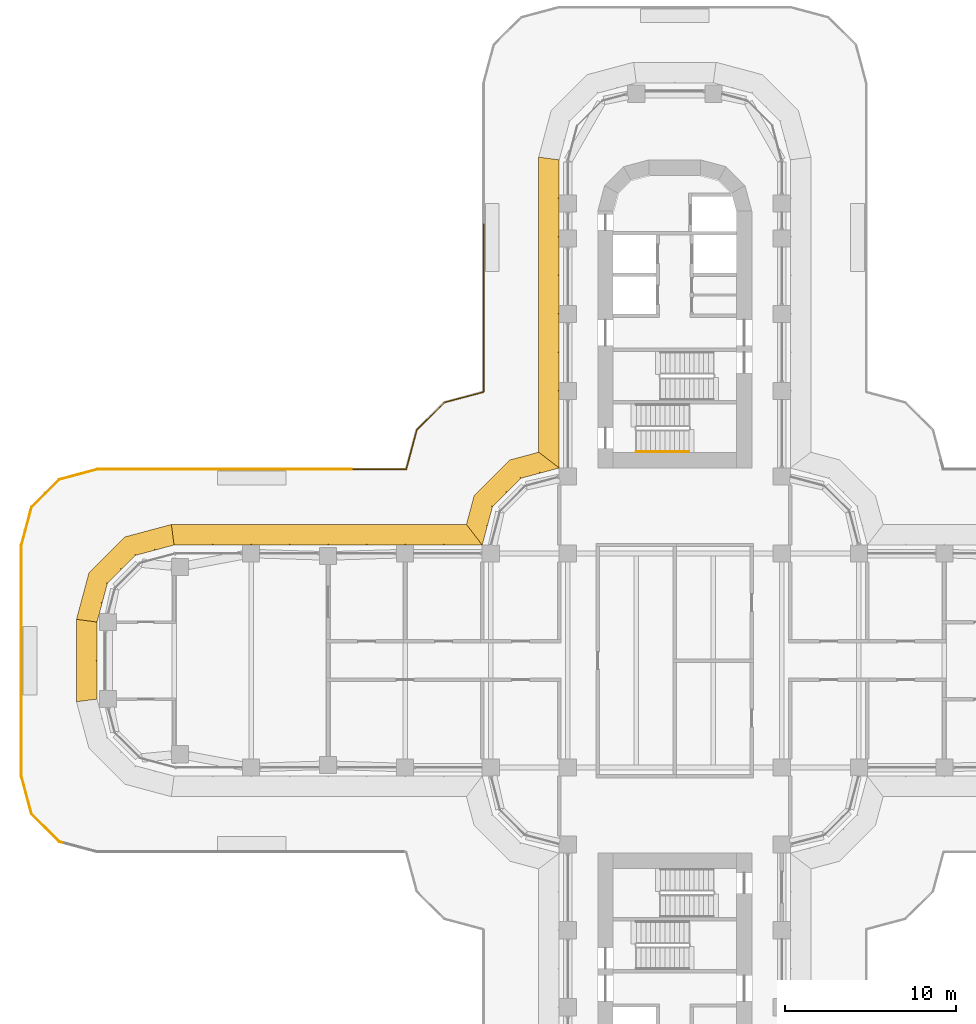
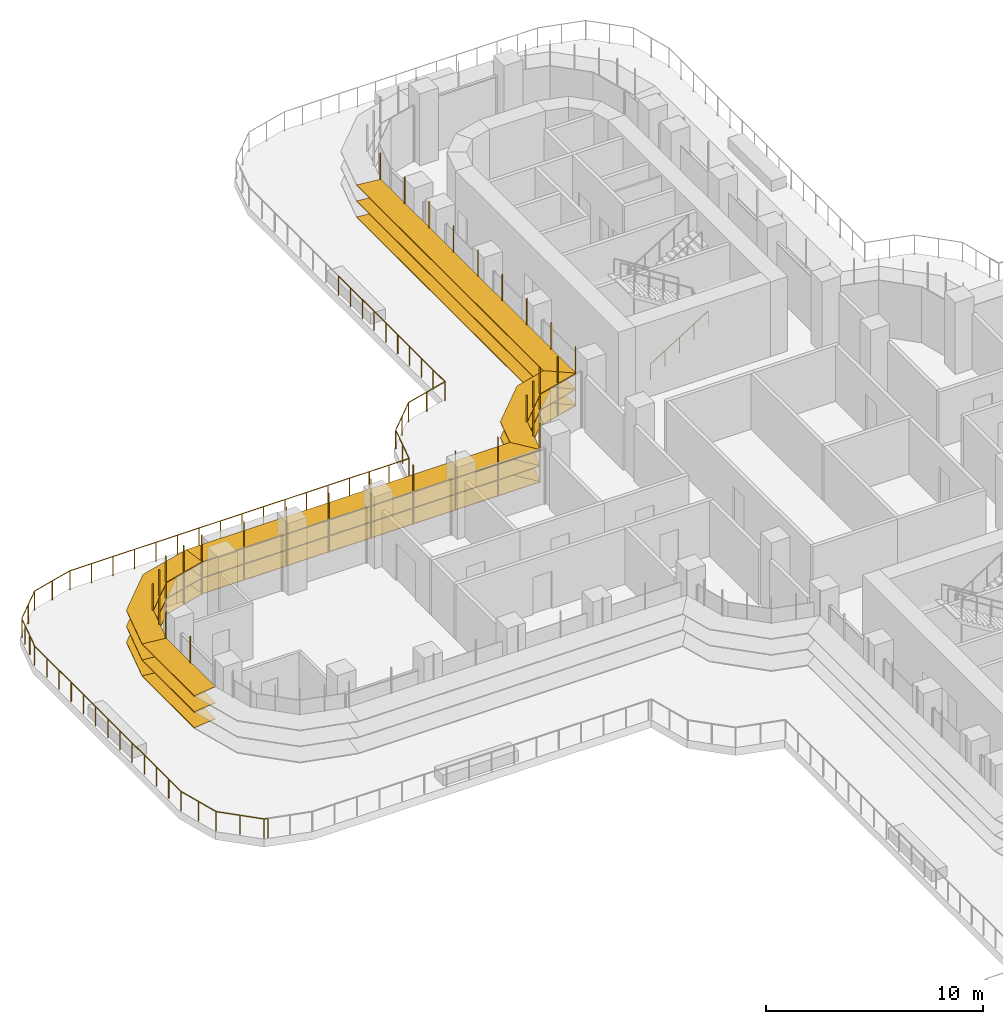
# One storey, part 23 of 26: 5 shading devices, 4 railings.
"""IFC4 building model written with IfcOpenShell, lengths in metres."""

from ifc_helpers import new_model, si_unit, direction, frame, origin, origin_2d, place, context, subcontext, project, spatial, polyline, circle, outline, extrude, faceted_brep, source, transform, mapped, material, type_object, element, save


model = new_model("IFC4")

# Units and contexts
model_context = context("Model", 3, precision=1e-05, world=origin(), true_north=direction((0.0, 1.0)))
body_context = subcontext(model_context, "Body", "Model", "MODEL_VIEW")
ifc_project = project(units=[si_unit("LENGTHUNIT", "METRE"), si_unit("AREAUNIT", "SQUARE_METRE"), si_unit("VOLUMEUNIT", "CUBIC_METRE"), si_unit("PLANEANGLEUNIT", "RADIAN"), si_unit("MASSUNIT", "GRAM", prefix="KILO")], contexts=[model_context])

# Site, building, storey
site_placement = place(None, origin())
site = spatial("IfcSite", under=ifc_project, at=site_placement, CompositionType="ELEMENT")
building_placement = place(site_placement, origin())
building = spatial("IfcBuilding", under=site, at=building_placement, Name="Zarbagh Exchange Tower", CompositionType="ELEMENT")
storey_placement = place(building_placement, frame((0.0, 0.0, 27.0)))
storey = spatial("IfcBuildingStorey", under=building, at=storey_placement, Name="L05", CompositionType="ELEMENT", Elevation=27.0)

# Railings
ifc_material_1 = material(Name="Stainless steel", Category="steel")
railing_type_1 = type_object("IfcRailingType", Name="Stair handrail 900 mm", PredefinedType="HANDRAIL", material=ifc_material_1)
railing_1_placement = place(storey_placement, frame((-2.25, 12.199951171875, 0.175048828125)))
element("IfcRailing", 1, at=railing_1_placement, inside=storey, type_object=railing_type_1, Name="ST2 stair handrail 1", PredefinedType="HANDRAIL", context=body_context, shape_type="SweptSolid", body=[
    extrude(circle(Radius=0.02392578125, at=origin_2d()), frame((0.0, 0.0, 0.8759765625), z_axis=(0.847998304005, 0.0, 0.529998940003), x_axis=(0.0, 1.0, 0.0)), (0.0, 0.0, 1.0), 3.632080078125),
    extrude(circle(Radius=0.02099609375, at=origin_2d()), origin(), (0.0, 0.0, 1.0), 0.851806640625),
    extrude(circle(Radius=0.02099609375, at=origin_2d()), frame((0.77001953125, 0.0, 0.481201171875)), (0.0, 0.0, 1.0), 0.851806640625),
    extrude(circle(Radius=0.02099609375, at=origin_2d()), frame((1.5400390625, 0.0, 0.96240234375)), (0.0, 0.0, 1.0), 0.851806640625),
    extrude(circle(Radius=0.02099609375, at=origin_2d()), frame((2.31005859375, 0.0, 1.44384765625)), (0.0, 0.0, 1.0), 0.851806640625),
    extrude(circle(Radius=0.02099609375, at=origin_2d()), frame((3.080078125, 0.0, 1.925048828125)), (0.0, 0.0, 1.0), 0.851806640625),
])
ifc_material_2 = material(Name="Stainless steel and laminated glass", Category="steel")
railing_type_2 = type_object("IfcRailingType", Name="Terrace guard, glass balustrade 1.1 m", PredefinedType="GUARDRAIL", material=ifc_material_2)
railing_2_placement = place(storey_placement, frame((-35.77880859375, -10.62353515625, 0.0)))
element("IfcRailing", 2, at=railing_2_placement, inside=storey, type_object=railing_type_2, Name="TG01 terrace guard", PredefinedType="GUARDRAIL", context=body_context, shape_type="SweptSolid", body=[
    extrude(circle(Radius=0.02490234375, at=origin_2d()), frame((0.0, 0.0, 1.0751953125), z_axis=(-0.965994896466, 0.258561133973, 0.0), x_axis=(-0.258561133973, -0.965994896466, 0.0)), (0.0, 0.0, 1.0), 0.18603515625),
    extrude(circle(Radius=0.02490234375, at=origin_2d()), frame((-0.1796875, 0.048095703125, 1.0751953125), z_axis=(-0.707106781187, 0.707106781187, 0.0), x_axis=(-0.707106781187, -0.707106781187, 0.0)), (0.0, 0.0, 1.0), 2.28662109375),
    extrude(circle(Radius=0.02490234375, at=origin_2d()), frame((-1.796630859375, 1.6650390625, 1.0751953125), z_axis=(-0.258780353152, 0.965936192935, 0.0), x_axis=(-0.965936192935, -0.258780353152, 0.0)), (0.0, 0.0, 1.0), 2.29736328125),
    extrude(circle(Radius=0.02490234375, at=origin_2d()), frame((-2.39111328125, 3.884033203125, 1.0751953125), z_axis=(0.0, 1.0, 0.0), x_axis=(-1.0, 0.0, 0.0)), (0.0, 0.0, 1.0), 13.47900390625),
    extrude(circle(Radius=0.02490234375, at=origin_2d()), frame((-2.39111328125, 17.363037109375, 1.0751953125), z_axis=(0.258773254036, 0.965938094805, 0.0), x_axis=(-0.965938094805, 0.258773254036, 0.0)), (0.0, 0.0, 1.0), 1.7509765625),
    extrude(circle(Radius=0.02490234375, at=origin_2d()), origin(), (0.0, 0.0, 1.0), 1.050048828125),
    extrude(circle(Radius=0.02490234375, at=origin_2d()), frame((-0.1796875, 0.048095703125, 0.0)), (0.0, 0.0, 1.0), 1.050048828125),
    extrude(circle(Radius=0.02490234375, at=origin_2d()), frame((-0.98828125, 0.8564453125, 0.0)), (0.0, 0.0, 1.0), 1.050048828125),
    extrude(circle(Radius=0.02490234375, at=origin_2d()), frame((-1.796630859375, 1.6650390625, 0.0)), (0.0, 0.0, 1.0), 1.050048828125),
    extrude(circle(Radius=0.02490234375, at=origin_2d()), frame((-2.09375, 2.7744140625, 0.0)), (0.0, 0.0, 1.0), 1.050048828125),
    extrude(circle(Radius=0.02490234375, at=origin_2d()), frame((-2.39111328125, 3.884033203125, 0.0)), (0.0, 0.0, 1.0), 1.050048828125),
    extrude(circle(Radius=0.02490234375, at=origin_2d()), frame((-2.39111328125, 5.00732421875, 0.0)), (0.0, 0.0, 1.0), 1.050048828125),
    extrude(circle(Radius=0.02490234375, at=origin_2d()), frame((-2.39111328125, 6.130615234375, 0.0)), (0.0, 0.0, 1.0), 1.050048828125),
    extrude(circle(Radius=0.02490234375, at=origin_2d()), frame((-2.39111328125, 7.25390625, 0.0)), (0.0, 0.0, 1.0), 1.050048828125),
    extrude(circle(Radius=0.02490234375, at=origin_2d()), frame((-2.39111328125, 8.376953125, 0.0)), (0.0, 0.0, 1.0), 1.050048828125),
    extrude(circle(Radius=0.02490234375, at=origin_2d()), frame((-2.39111328125, 9.500244140625, 0.0)), (0.0, 0.0, 1.0), 1.050048828125),
    extrude(circle(Radius=0.02490234375, at=origin_2d()), frame((-2.39111328125, 10.62353515625, 0.0)), (0.0, 0.0, 1.0), 1.050048828125),
    extrude(circle(Radius=0.02490234375, at=origin_2d()), frame((-2.39111328125, 11.746826171875, 0.0)), (0.0, 0.0, 1.0), 1.050048828125),
    extrude(circle(Radius=0.02490234375, at=origin_2d()), frame((-2.39111328125, 12.8701171875, 0.0)), (0.0, 0.0, 1.0), 1.050048828125),
    extrude(circle(Radius=0.02490234375, at=origin_2d()), frame((-2.39111328125, 13.9931640625, 0.0)), (0.0, 0.0, 1.0), 1.050048828125),
    extrude(circle(Radius=0.02490234375, at=origin_2d()), frame((-2.39111328125, 15.116455078125, 0.0)), (0.0, 0.0, 1.0), 1.050048828125),
    extrude(circle(Radius=0.02490234375, at=origin_2d()), frame((-2.39111328125, 16.23974609375, 0.0)), (0.0, 0.0, 1.0), 1.050048828125),
    extrude(circle(Radius=0.02490234375, at=origin_2d()), frame((-2.39111328125, 17.363037109375, 0.0)), (0.0, 0.0, 1.0), 1.050048828125),
    extrude(circle(Radius=0.02490234375, at=origin_2d()), frame((-2.16455078125, 18.208740234375, 0.0)), (0.0, 0.0, 1.0), 1.050048828125),
    extrude(circle(Radius=0.02490234375, at=origin_2d()), frame((-1.93798828125, 19.054443359375, 0.0)), (0.0, 0.0, 1.0), 1.050048828125),
])
railing_3_placement = place(storey_placement, frame((-37.716796875, 8.430908203125, 0.0)))
element("IfcRailing", 3, at=railing_3_placement, inside=storey, type_object=railing_type_2, Name="TG01 terrace guard", PredefinedType="GUARDRAIL", context=body_context, shape_type="SweptSolid", body=[
    extrude(circle(Radius=0.02490234375, at=origin_2d()), frame((0.0, 0.0, 1.0751953125), z_axis=(0.258803112091, 0.965930095386, 0.0), x_axis=(-0.965930095386, 0.258803112091, 0.0)), (0.0, 0.0, 1.0), 0.546142578125),
    extrude(circle(Radius=0.02490234375, at=origin_2d()), frame((0.141357421875, 0.527587890625, 1.0751953125), z_axis=(0.707106781187, 0.707106781187, 0.0), x_axis=(-0.707106781187, 0.707106781187, 0.0)), (0.0, 0.0, 1.0), 2.28662109375),
    extrude(circle(Radius=0.02490234375, at=origin_2d()), frame((1.75830078125, 2.14453125, 1.0751953125), z_axis=(0.965936192935, 0.258780353152, 0.0), x_axis=(-0.258780353152, 0.965936192935, 0.0)), (0.0, 0.0, 1.0), 2.29736328125),
    extrude(circle(Radius=0.02490234375, at=origin_2d()), frame((3.977294921875, 2.739013671875, 1.0751953125), z_axis=(1.0, 0.0, 0.0), x_axis=(0.0, 1.0, 0.0)), (0.0, 0.0, 1.0), 14.869873046875),
    extrude(circle(Radius=0.02490234375, at=origin_2d()), origin(), (0.0, 0.0, 1.0), 1.050048828125),
    extrude(circle(Radius=0.02490234375, at=origin_2d()), frame((0.141357421875, 0.527587890625, 0.0)), (0.0, 0.0, 1.0), 1.050048828125),
    extrude(circle(Radius=0.02490234375, at=origin_2d()), frame((0.94970703125, 1.3359375, 0.0)), (0.0, 0.0, 1.0), 1.050048828125),
    extrude(circle(Radius=0.02490234375, at=origin_2d()), frame((1.75830078125, 2.14453125, 0.0)), (0.0, 0.0, 1.0), 1.050048828125),
    extrude(circle(Radius=0.02490234375, at=origin_2d()), frame((2.86767578125, 2.44189453125, 0.0)), (0.0, 0.0, 1.0), 1.050048828125),
    extrude(circle(Radius=0.02490234375, at=origin_2d()), frame((3.977294921875, 2.739013671875, 0.0)), (0.0, 0.0, 1.0), 1.050048828125),
    extrude(circle(Radius=0.02490234375, at=origin_2d()), frame((5.12109375, 2.739013671875, 0.0)), (0.0, 0.0, 1.0), 1.050048828125),
    extrude(circle(Radius=0.02490234375, at=origin_2d()), frame((6.264892578125, 2.739013671875, 0.0)), (0.0, 0.0, 1.0), 1.050048828125),
    extrude(circle(Radius=0.02490234375, at=origin_2d()), frame((7.40869140625, 2.739013671875, 0.0)), (0.0, 0.0, 1.0), 1.050048828125),
    extrude(circle(Radius=0.02490234375, at=origin_2d()), frame((8.552734375, 2.739013671875, 0.0)), (0.0, 0.0, 1.0), 1.050048828125),
    extrude(circle(Radius=0.02490234375, at=origin_2d()), frame((9.696533203125, 2.739013671875, 0.0)), (0.0, 0.0, 1.0), 1.050048828125),
    extrude(circle(Radius=0.02490234375, at=origin_2d()), frame((10.84033203125, 2.739013671875, 0.0)), (0.0, 0.0, 1.0), 1.050048828125),
    extrude(circle(Radius=0.02490234375, at=origin_2d()), frame((11.984130859375, 2.739013671875, 0.0)), (0.0, 0.0, 1.0), 1.050048828125),
    extrude(circle(Radius=0.02490234375, at=origin_2d()), frame((13.1279296875, 2.739013671875, 0.0)), (0.0, 0.0, 1.0), 1.050048828125),
    extrude(circle(Radius=0.02490234375, at=origin_2d()), frame((14.271728515625, 2.739013671875, 0.0)), (0.0, 0.0, 1.0), 1.050048828125),
    extrude(circle(Radius=0.02490234375, at=origin_2d()), frame((15.415771484375, 2.739013671875, 0.0)), (0.0, 0.0, 1.0), 1.050048828125),
    extrude(circle(Radius=0.02490234375, at=origin_2d()), frame((16.5595703125, 2.739013671875, 0.0)), (0.0, 0.0, 1.0), 1.050048828125),
    extrude(circle(Radius=0.02490234375, at=origin_2d()), frame((17.703369140625, 2.739013671875, 0.0)), (0.0, 0.0, 1.0), 1.050048828125),
    extrude(circle(Radius=0.02490234375, at=origin_2d()), frame((18.84716796875, 2.739013671875, 0.0)), (0.0, 0.0, 1.0), 1.050048828125),
])
railing_4_placement = place(storey_placement, frame((-18.86962890625, 11.169921875, 0.0)))
element("IfcRailing", 4, at=railing_4_placement, inside=storey, type_object=railing_type_2, Name="TG01 terrace guard", PredefinedType="GUARDRAIL", context=body_context, shape_type="SweptSolid", body=[
    extrude(circle(Radius=0.02490234375, at=origin_2d()), frame((0.0, 0.0, 1.0751953125), z_axis=(1.0, 0.0, 0.0), x_axis=(0.0, 1.0, 0.0)), (0.0, 0.0, 1.0), 3.180908203125),
    extrude(circle(Radius=0.02490234375, at=origin_2d()), frame((3.180908203125, 0.0, 1.0751953125), z_axis=(0.258842529128, 0.965919533457, 0.0), x_axis=(-0.965919533457, 0.258842529128, 0.0)), (0.0, 0.0, 1.0), 2.369384765625),
    extrude(circle(Radius=0.02490234375, at=origin_2d()), frame((3.794189453125, 2.28857421875, 1.0751953125), z_axis=(0.707106781187, 0.707106781187, 0.0), x_axis=(-0.707106781187, 0.707106781187, 0.0)), (0.0, 0.0, 1.0), 2.28662109375),
    extrude(circle(Radius=0.02490234375, at=origin_2d()), frame((5.4111328125, 3.905517578125, 1.0751953125), z_axis=(0.965919533457, 0.258842529128, 0.0), x_axis=(-0.258842529128, 0.965919533457, 0.0)), (0.0, 0.0, 1.0), 2.369384765625),
    extrude(circle(Radius=0.02490234375, at=origin_2d()), frame((7.69970703125, 4.518798828125, 1.0751953125), z_axis=(0.0, 1.0, 0.0), x_axis=(-1.0, 0.0, 0.0)), (0.0, 0.0, 1.0), 9.793701171875),
    extrude(circle(Radius=0.02490234375, at=origin_2d()), origin(), (0.0, 0.0, 1.0), 1.050048828125),
    extrude(circle(Radius=0.02490234375, at=origin_2d()), frame((1.060302734375, 0.0, 0.0)), (0.0, 0.0, 1.0), 1.050048828125),
    extrude(circle(Radius=0.02490234375, at=origin_2d()), frame((2.12060546875, 0.0, 0.0)), (0.0, 0.0, 1.0), 1.050048828125),
    extrude(circle(Radius=0.02490234375, at=origin_2d()), frame((3.180908203125, 0.0, 0.0)), (0.0, 0.0, 1.0), 1.050048828125),
    extrude(circle(Radius=0.02490234375, at=origin_2d()), frame((3.487548828125, 1.144287109375, 0.0)), (0.0, 0.0, 1.0), 1.050048828125),
    extrude(circle(Radius=0.02490234375, at=origin_2d()), frame((3.794189453125, 2.28857421875, 0.0)), (0.0, 0.0, 1.0), 1.050048828125),
    extrude(circle(Radius=0.02490234375, at=origin_2d()), frame((4.6025390625, 3.09716796875, 0.0)), (0.0, 0.0, 1.0), 1.050048828125),
    extrude(circle(Radius=0.02490234375, at=origin_2d()), frame((5.4111328125, 3.905517578125, 0.0)), (0.0, 0.0, 1.0), 1.050048828125),
    extrude(circle(Radius=0.02490234375, at=origin_2d()), frame((6.555419921875, 4.212158203125, 0.0)), (0.0, 0.0, 1.0), 1.050048828125),
    extrude(circle(Radius=0.02490234375, at=origin_2d()), frame((7.69970703125, 4.518798828125, 0.0)), (0.0, 0.0, 1.0), 1.050048828125),
    extrude(circle(Radius=0.02490234375, at=origin_2d()), frame((7.69970703125, 5.60693359375, 0.0)), (0.0, 0.0, 1.0), 1.050048828125),
    extrude(circle(Radius=0.02490234375, at=origin_2d()), frame((7.69970703125, 6.695068359375, 0.0)), (0.0, 0.0, 1.0), 1.050048828125),
    extrude(circle(Radius=0.02490234375, at=origin_2d()), frame((7.69970703125, 7.783447265625, 0.0)), (0.0, 0.0, 1.0), 1.050048828125),
    extrude(circle(Radius=0.02490234375, at=origin_2d()), frame((7.69970703125, 8.87158203125, 0.0)), (0.0, 0.0, 1.0), 1.050048828125),
    extrude(circle(Radius=0.02490234375, at=origin_2d()), frame((7.69970703125, 9.959716796875, 0.0)), (0.0, 0.0, 1.0), 1.050048828125),
    extrude(circle(Radius=0.02490234375, at=origin_2d()), frame((7.69970703125, 11.0478515625, 0.0)), (0.0, 0.0, 1.0), 1.050048828125),
    extrude(circle(Radius=0.02490234375, at=origin_2d()), frame((7.69970703125, 12.13623046875, 0.0)), (0.0, 0.0, 1.0), 1.050048828125),
    extrude(circle(Radius=0.02490234375, at=origin_2d()), frame((7.69970703125, 13.224365234375, 0.0)), (0.0, 0.0, 1.0), 1.050048828125),
    extrude(circle(Radius=0.02490234375, at=origin_2d()), frame((7.69970703125, 14.3125, 0.0)), (0.0, 0.0, 1.0), 1.050048828125),
])

# Shading devices
ifc_material_3 = material(Name="Anodised aluminium blades and brackets", Category="aluminium")
shading_device_type = type_object("IfcShadingDeviceType", Name="SUNSHADE louvre band, 0 degree blades", PredefinedType="JALOUSIE", material=ifc_material_3)
shared_shape_1 = source(origin(), body_context, "Body", "Brep", [
    faceted_brep([(0.0, 0.0, 0.0), (0.0, 0.0, -0.0400390625), (-0.157958984375, -1.199951171875, -0.0400390625), (-0.157958984375, -1.199951171875, 0.0), (2.65087890625, -1.199951171875, 0.0), (2.65087890625, -1.199951171875, -0.0400390625), (2.329345703125, 0.0, -0.0400390625), (2.329345703125, 0.0, 0.0)], [[[0, 1, 2, 3]], [[4, 5, 6, 7]], [[0, 7, 6, 1]], [[1, 6, 5, 2]], [[2, 5, 4, 3]], [[3, 4, 7, 0]]]),
])
shared_shape_2 = source(origin(), body_context, "Body", "Brep", [
    faceted_brep([(0.0, 0.0, 0.0), (0.0, 0.0, -0.0400390625), (-0.321533203125, -1.199951171875, -0.0400390625), (-0.321533203125, -1.199951171875, 0.0), (2.65087890625, -1.199951171875, 0.0), (2.65087890625, -1.199951171875, -0.0400390625), (2.329345703125, 0.0, -0.0400390625), (2.329345703125, 0.0, 0.0)], [[[0, 1, 2, 3]], [[4, 5, 6, 7]], [[0, 7, 6, 1]], [[1, 6, 5, 2]], [[2, 5, 4, 3]], [[3, 4, 7, 0]]]),
])
shared_shape_3 = source(origin(), body_context, "Body", "Brep", [
    faceted_brep([(0.0, 0.0, 0.0), (0.0, 0.0, -0.0400390625), (-0.321533203125, -1.199951171875, -0.0400390625), (-0.321533203125, -1.199951171875, 0.0), (2.4873046875, -1.199951171875, 0.0), (2.4873046875, -1.199951171875, -0.0400390625), (2.329345703125, 0.0, -0.0400390625), (2.329345703125, 0.0, 0.0)], [[[0, 1, 2, 3]], [[4, 5, 6, 7]], [[0, 7, 6, 1]], [[1, 6, 5, 2]], [[2, 5, 4, 3]], [[3, 4, 7, 0]]]),
])
shared_shape_4 = source(origin(), body_context, "Body", "SweptSolid", [
    extrude(outline(polyline([(0.0, -0.012451171875), (0.06005859375, -0.012451171875), (0.06005859375, 0.012451171875), (0.0, 0.012451171875), (0.0, -0.012451171875)])), origin(), (0.0, 0.0, 1.0), 3.35009765625),
])
placement = place(storey_placement, origin())
element("IfcShadingDevice", 5, at=placement, inside=storey, type_object=shading_device_type, Name="SS17 sunshade band", PredefinedType="JALOUSIE", context=body_context, shape_type="MappedRepresentation", body=[
    mapped(shared_shape_1, transform((-29.25, 6.75, 2.699951171875), x_axis=(-0.965924289636, -0.258824779902, 0.0), y_axis=(0.258824779902, -0.965924289636, 0.0), z_axis=(0.0, 0.0, 1.0))),
    mapped(shared_shape_1, transform((-29.25, 6.75, 1.800048828125), x_axis=(-0.965924289636, -0.258824779902, 0.0), y_axis=(0.258824779902, -0.965924289636, 0.0), z_axis=(0.0, 0.0, 1.0))),
    mapped(shared_shape_1, transform((-29.25, 6.75, 0.89990234375), x_axis=(-0.965924289636, -0.258824779902, 0.0), y_axis=(0.258824779902, -0.965924289636, 0.0), z_axis=(0.0, 0.0, 1.0))),
    mapped(shared_shape_2, transform((-31.5, 6.147216796875, 2.699951171875), x_axis=(-0.707106781187, -0.707106781187, 0.0), y_axis=(0.707106781187, -0.707106781187, 0.0), z_axis=(0.0, 0.0, 1.0))),
    mapped(shared_shape_2, transform((-31.5, 6.147216796875, 1.800048828125), x_axis=(-0.707106781187, -0.707106781187, 0.0), y_axis=(0.707106781187, -0.707106781187, 0.0), z_axis=(0.0, 0.0, 1.0))),
    mapped(shared_shape_2, transform((-31.5, 6.147216796875, 0.89990234375), x_axis=(-0.707106781187, -0.707106781187, 0.0), y_axis=(0.707106781187, -0.707106781187, 0.0), z_axis=(0.0, 0.0, 1.0))),
    mapped(shared_shape_3, transform((-33.147216796875, 4.5, 2.699951171875), x_axis=(-0.258824779902, -0.965924289636, 0.0), y_axis=(0.965924289636, -0.258824779902, 0.0), z_axis=(0.0, 0.0, 1.0))),
    mapped(shared_shape_3, transform((-33.147216796875, 4.5, 1.800048828125), x_axis=(-0.258824779902, -0.965924289636, 0.0), y_axis=(0.965924289636, -0.258824779902, 0.0), z_axis=(0.0, 0.0, 1.0))),
    mapped(shared_shape_3, transform((-33.147216796875, 4.5, 0.89990234375), x_axis=(-0.258824779902, -0.965924289636, 0.0), y_axis=(0.965924289636, -0.258824779902, 0.0), z_axis=(0.0, 0.0, 1.0))),
    mapped(shared_shape_4, transform((-29.25, 6.75, 0.830078125), x_axis=(-0.130529263012, 0.991444457092, 0.0), y_axis=(-0.991444457092, -0.130529263012, 0.0), z_axis=(0.0, 0.0, 1.0))),
    mapped(shared_shape_4, transform((-30.375, 6.448486328125, 0.830078125), x_axis=(-0.258825058029, 0.96592421511, 0.0), y_axis=(-0.96592421511, -0.258825058029, 0.0), z_axis=(0.0, 0.0, 1.0))),
    mapped(shared_shape_4, transform((-31.5, 6.147216796875, 0.830078125), x_axis=(-0.50000275701, 0.866023812018, 0.0), y_axis=(-0.866023812018, -0.50000275701, 0.0), z_axis=(0.0, 0.0, 1.0))),
    mapped(shared_shape_4, transform((-32.323486328125, 5.323486328125, 0.830078125), x_axis=(-0.707106781187, 0.707106781187, 0.0), y_axis=(-0.707106781187, -0.707106781187, 0.0), z_axis=(0.0, 0.0, 1.0))),
    mapped(shared_shape_4, transform((-33.147216796875, 4.5, 0.830078125), x_axis=(-0.866023812018, 0.50000275701, 0.0), y_axis=(-0.50000275701, -0.866023812018, 0.0), z_axis=(0.0, 0.0, 1.0))),
    mapped(shared_shape_4, transform((-33.448486328125, 3.375, 0.830078125), x_axis=(-0.96592421511, 0.258825058029, 0.0), y_axis=(-0.258825058029, -0.96592421511, 0.0), z_axis=(0.0, 0.0, 1.0))),
])
shared_shape_5 = source(origin(), body_context, "Body", "Brep", [
    faceted_brep([(0.0, 0.0, 0.0), (0.0, 0.0, -0.0400390625), (0.9208984375, -1.199951171875, -0.0400390625), (0.9208984375, -1.199951171875, 0.0), (2.65087890625, -1.199951171875, 0.0), (2.65087890625, -1.199951171875, -0.0400390625), (2.329345703125, 0.0, -0.0400390625), (2.329345703125, 0.0, 0.0)], [[[0, 1, 2, 3]], [[4, 5, 6, 7]], [[0, 7, 6, 1]], [[1, 6, 5, 2]], [[2, 5, 4, 3]], [[3, 4, 7, 0]]]),
])
shared_shape_6 = source(origin(), body_context, "Body", "Brep", [
    faceted_brep([(0.0, 0.0, 0.0), (0.0, 0.0, -0.0400390625), (-0.321533203125, -1.199951171875, -0.0400390625), (-0.321533203125, -1.199951171875, 0.0), (1.40869140625, -1.199951171875, 0.0), (1.40869140625, -1.199951171875, -0.0400390625), (2.329345703125, 0.0, -0.0400390625), (2.329345703125, 0.0, 0.0)], [[[0, 1, 2, 3]], [[4, 5, 6, 7]], [[0, 7, 6, 1]], [[1, 6, 5, 2]], [[2, 5, 4, 3]], [[3, 4, 7, 0]]]),
])
element("IfcShadingDevice", 6, at=placement, inside=storey, type_object=shading_device_type, Name="SS15 sunshade band", PredefinedType="JALOUSIE", context=body_context, shape_type="MappedRepresentation", body=[
    mapped(shared_shape_5, transform((-6.75, 11.25, 2.699951171875), x_axis=(-0.965924289636, -0.258824779902, 0.0), y_axis=(0.258824779902, -0.965924289636, 0.0), z_axis=(0.0, 0.0, 1.0))),
    mapped(shared_shape_5, transform((-6.75, 11.25, 1.800048828125), x_axis=(-0.965924289636, -0.258824779902, 0.0), y_axis=(0.258824779902, -0.965924289636, 0.0), z_axis=(0.0, 0.0, 1.0))),
    mapped(shared_shape_5, transform((-6.75, 11.25, 0.89990234375), x_axis=(-0.965924289636, -0.258824779902, 0.0), y_axis=(0.258824779902, -0.965924289636, 0.0), z_axis=(0.0, 0.0, 1.0))),
    mapped(shared_shape_2, transform((-9.0, 10.647216796875, 2.699951171875), x_axis=(-0.707106781187, -0.707106781187, 0.0), y_axis=(0.707106781187, -0.707106781187, 0.0), z_axis=(0.0, 0.0, 1.0))),
    mapped(shared_shape_2, transform((-9.0, 10.647216796875, 1.800048828125), x_axis=(-0.707106781187, -0.707106781187, 0.0), y_axis=(0.707106781187, -0.707106781187, 0.0), z_axis=(0.0, 0.0, 1.0))),
    mapped(shared_shape_2, transform((-9.0, 10.647216796875, 0.89990234375), x_axis=(-0.707106781187, -0.707106781187, 0.0), y_axis=(0.707106781187, -0.707106781187, 0.0), z_axis=(0.0, 0.0, 1.0))),
    mapped(shared_shape_6, transform((-10.647216796875, 9.0, 2.699951171875), x_axis=(-0.258824779902, -0.965924289636, 0.0), y_axis=(0.965924289636, -0.258824779902, 0.0), z_axis=(0.0, 0.0, 1.0))),
    mapped(shared_shape_6, transform((-10.647216796875, 9.0, 1.800048828125), x_axis=(-0.258824779902, -0.965924289636, 0.0), y_axis=(0.965924289636, -0.258824779902, 0.0), z_axis=(0.0, 0.0, 1.0))),
    mapped(shared_shape_6, transform((-10.647216796875, 9.0, 0.89990234375), x_axis=(-0.258824779902, -0.965924289636, 0.0), y_axis=(0.965924289636, -0.258824779902, 0.0), z_axis=(0.0, 0.0, 1.0))),
    mapped(shared_shape_4, transform((-6.75, 11.25, 0.830078125), x_axis=(-0.793355287, 0.608758892, 0.0), y_axis=(-0.608758892, -0.793355287, 0.0), z_axis=(0.0, 0.0, 1.0))),
    mapped(shared_shape_4, transform((-7.875, 10.948486328125, 0.830078125), x_axis=(-0.258825058029, 0.96592421511, 0.0), y_axis=(-0.96592421511, -0.258825058029, 0.0), z_axis=(0.0, 0.0, 1.0))),
    mapped(shared_shape_4, transform((-9.0, 10.647216796875, 0.830078125), x_axis=(-0.50000275701, 0.866023812018, 0.0), y_axis=(-0.866023812018, -0.50000275701, 0.0), z_axis=(0.0, 0.0, 1.0))),
    mapped(shared_shape_4, transform((-9.823486328125, 9.823486328125, 0.830078125), x_axis=(-0.707106781187, 0.707106781187, 0.0), y_axis=(-0.707106781187, -0.707106781187, 0.0), z_axis=(0.0, 0.0, 1.0))),
    mapped(shared_shape_4, transform((-10.647216796875, 9.0, 0.830078125), x_axis=(-0.866023812018, 0.50000275701, 0.0), y_axis=(-0.50000275701, -0.866023812018, 0.0), z_axis=(0.0, 0.0, 1.0))),
    mapped(shared_shape_4, transform((-10.948486328125, 7.875, 0.830078125), x_axis=(-0.96592421511, 0.258825058029, 0.0), y_axis=(-0.258825058029, -0.96592421511, 0.0), z_axis=(0.0, 0.0, 1.0))),
])
shared_shape_7 = source(origin(), body_context, "Body", "Brep", [
    faceted_brep([(0.0, 0.0, 0.0), (0.0, 0.0, -0.0400390625), (-0.157958984375, -1.199951171875, -0.0400390625), (-0.157958984375, -1.199951171875, 0.0), (17.0791015625, -1.199951171875, 0.0), (17.0791015625, -1.199951171875, -0.0400390625), (18.0, 0.0, -0.0400390625), (18.0, 0.0, 0.0)], [[[0, 1, 2, 3]], [[4, 5, 6, 7]], [[0, 7, 6, 1]], [[1, 6, 5, 2]], [[2, 5, 4, 3]], [[3, 4, 7, 0]]]),
])
element("IfcShadingDevice", 7, at=placement, inside=storey, type_object=shading_device_type, Name="SS14 sunshade band", PredefinedType="JALOUSIE", context=body_context, shape_type="MappedRepresentation", body=[
    mapped(shared_shape_7, transform((-6.75, 29.25, 2.699951171875), x_axis=(0.0, -1.0, 0.0), y_axis=(1.0, 0.0, 0.0), z_axis=(0.0, 0.0, 1.0))),
    mapped(shared_shape_7, transform((-6.75, 29.25, 1.800048828125), x_axis=(0.0, -1.0, 0.0), y_axis=(1.0, 0.0, 0.0), z_axis=(0.0, 0.0, 1.0))),
    mapped(shared_shape_7, transform((-6.75, 29.25, 0.89990234375), x_axis=(0.0, -1.0, 0.0), y_axis=(1.0, 0.0, 0.0), z_axis=(0.0, 0.0, 1.0))),
    mapped(shared_shape_4, transform((-6.75, 29.25, 0.830078125), x_axis=(-0.991444457092, 0.130529263012, 0.0), y_axis=(-0.130529263012, -0.991444457092, 0.0), z_axis=(0.0, 0.0, 1.0))),
    mapped(shared_shape_4, transform((-6.75, 27.0, 0.830078125), x_axis=(-1.0, 0.0, 0.0), y_axis=(0.0, -1.0, 0.0), z_axis=(0.0, 0.0, 1.0))),
    mapped(shared_shape_4, transform((-6.75, 24.75, 0.830078125), x_axis=(-1.0, 0.0, 0.0), y_axis=(0.0, -1.0, 0.0), z_axis=(0.0, 0.0, 1.0))),
    mapped(shared_shape_4, transform((-6.75, 22.5, 0.830078125), x_axis=(-1.0, 0.0, 0.0), y_axis=(0.0, -1.0, 0.0), z_axis=(0.0, 0.0, 1.0))),
    mapped(shared_shape_4, transform((-6.75, 20.25, 0.830078125), x_axis=(-1.0, 0.0, 0.0), y_axis=(0.0, -1.0, 0.0), z_axis=(0.0, 0.0, 1.0))),
    mapped(shared_shape_4, transform((-6.75, 18.0, 0.830078125), x_axis=(-1.0, 0.0, 0.0), y_axis=(0.0, -1.0, 0.0), z_axis=(0.0, 0.0, 1.0))),
    mapped(shared_shape_4, transform((-6.75, 15.75, 0.830078125), x_axis=(-1.0, 0.0, 0.0), y_axis=(0.0, -1.0, 0.0), z_axis=(0.0, 0.0, 1.0))),
    mapped(shared_shape_4, transform((-6.75, 13.5, 0.830078125), x_axis=(-1.0, 0.0, 0.0), y_axis=(0.0, -1.0, 0.0), z_axis=(0.0, 0.0, 1.0))),
])
shared_shape_8 = source(origin(), body_context, "Body", "Brep", [
    faceted_brep([(0.0, 0.0, 0.0), (0.0, 0.0, -0.0400390625), (0.9208984375, -1.199951171875, -0.0400390625), (0.9208984375, -1.199951171875, 0.0), (18.157958984375, -1.199951171875, 0.0), (18.157958984375, -1.199951171875, -0.0400390625), (18.0, 0.0, -0.0400390625), (18.0, 0.0, 0.0)], [[[0, 1, 2, 3]], [[4, 5, 6, 7]], [[0, 7, 6, 1]], [[1, 6, 5, 2]], [[2, 5, 4, 3]], [[3, 4, 7, 0]]]),
])
element("IfcShadingDevice", 8, at=placement, inside=storey, type_object=shading_device_type, Name="SS16 sunshade band", PredefinedType="JALOUSIE", context=body_context, shape_type="MappedRepresentation", body=[
    mapped(shared_shape_8, transform((-11.25, 6.75, 2.699951171875), x_axis=(-1.0, 0.0, 0.0), y_axis=(0.0, -1.0, 0.0), z_axis=(0.0, 0.0, 1.0))),
    mapped(shared_shape_8, transform((-11.25, 6.75, 1.800048828125), x_axis=(-1.0, 0.0, 0.0), y_axis=(0.0, -1.0, 0.0), z_axis=(0.0, 0.0, 1.0))),
    mapped(shared_shape_8, transform((-11.25, 6.75, 0.89990234375), x_axis=(-1.0, 0.0, 0.0), y_axis=(0.0, -1.0, 0.0), z_axis=(0.0, 0.0, 1.0))),
    mapped(shared_shape_4, transform((-11.25, 6.75, 0.830078125), x_axis=(-0.608758892, 0.793355287, 0.0), y_axis=(-0.793355287, -0.608758892, 0.0), z_axis=(0.0, 0.0, 1.0))),
    mapped(shared_shape_4, transform((-13.5, 6.75, 0.830078125), x_axis=(0.0, 1.0, 0.0), y_axis=(-1.0, 0.0, 0.0), z_axis=(0.0, 0.0, 1.0))),
    mapped(shared_shape_4, transform((-15.75, 6.75, 0.830078125), x_axis=(0.0, 1.0, 0.0), y_axis=(-1.0, 0.0, 0.0), z_axis=(0.0, 0.0, 1.0))),
    mapped(shared_shape_4, transform((-18.0, 6.75, 0.830078125), x_axis=(0.0, 1.0, 0.0), y_axis=(-1.0, 0.0, 0.0), z_axis=(0.0, 0.0, 1.0))),
    mapped(shared_shape_4, transform((-20.25, 6.75, 0.830078125), x_axis=(0.0, 1.0, 0.0), y_axis=(-1.0, 0.0, 0.0), z_axis=(0.0, 0.0, 1.0))),
    mapped(shared_shape_4, transform((-22.5, 6.75, 0.830078125), x_axis=(0.0, 1.0, 0.0), y_axis=(-1.0, 0.0, 0.0), z_axis=(0.0, 0.0, 1.0))),
    mapped(shared_shape_4, transform((-24.75, 6.75, 0.830078125), x_axis=(0.0, 1.0, 0.0), y_axis=(-1.0, 0.0, 0.0), z_axis=(0.0, 0.0, 1.0))),
    mapped(shared_shape_4, transform((-27.0, 6.75, 0.830078125), x_axis=(0.0, 1.0, 0.0), y_axis=(-1.0, 0.0, 0.0), z_axis=(0.0, 0.0, 1.0))),
])
shared_shape_9 = source(origin(), body_context, "Body", "Brep", [
    faceted_brep([(0.0, 0.0, 0.0), (0.0, 0.0, -0.0400390625), (-0.157958984375, -1.199951171875, -0.0400390625), (-0.157958984375, -1.199951171875, 0.0), (4.657958984375, -1.199951171875, 0.0), (4.657958984375, -1.199951171875, -0.0400390625), (4.5, 0.0, -0.0400390625), (4.5, 0.0, 0.0)], [[[0, 1, 2, 3]], [[4, 5, 6, 7]], [[0, 7, 6, 1]], [[1, 6, 5, 2]], [[2, 5, 4, 3]], [[3, 4, 7, 0]]]),
])
element("IfcShadingDevice", 9, at=placement, inside=storey, type_object=shading_device_type, Name="SS18 sunshade band", PredefinedType="JALOUSIE", context=body_context, shape_type="MappedRepresentation", body=[
    mapped(shared_shape_9, transform((-33.75, 2.25, 2.699951171875), x_axis=(0.0, -1.0, 0.0), y_axis=(1.0, 0.0, 0.0), z_axis=(0.0, 0.0, 1.0))),
    mapped(shared_shape_9, transform((-33.75, 2.25, 1.800048828125), x_axis=(0.0, -1.0, 0.0), y_axis=(1.0, 0.0, 0.0), z_axis=(0.0, 0.0, 1.0))),
    mapped(shared_shape_9, transform((-33.75, 2.25, 0.89990234375), x_axis=(0.0, -1.0, 0.0), y_axis=(1.0, 0.0, 0.0), z_axis=(0.0, 0.0, 1.0))),
    mapped(shared_shape_4, transform((-33.75, 2.25, 0.830078125), x_axis=(-0.991444457092, 0.130529263012, 0.0), y_axis=(-0.130529263012, -0.991444457092, 0.0), z_axis=(0.0, 0.0, 1.0))),
    mapped(shared_shape_4, transform((-33.75, 0.0, 0.830078125), x_axis=(-1.0, 0.0, 0.0), y_axis=(0.0, -1.0, 0.0), z_axis=(0.0, 0.0, 1.0))),
])

save(model, "model.ifc")
